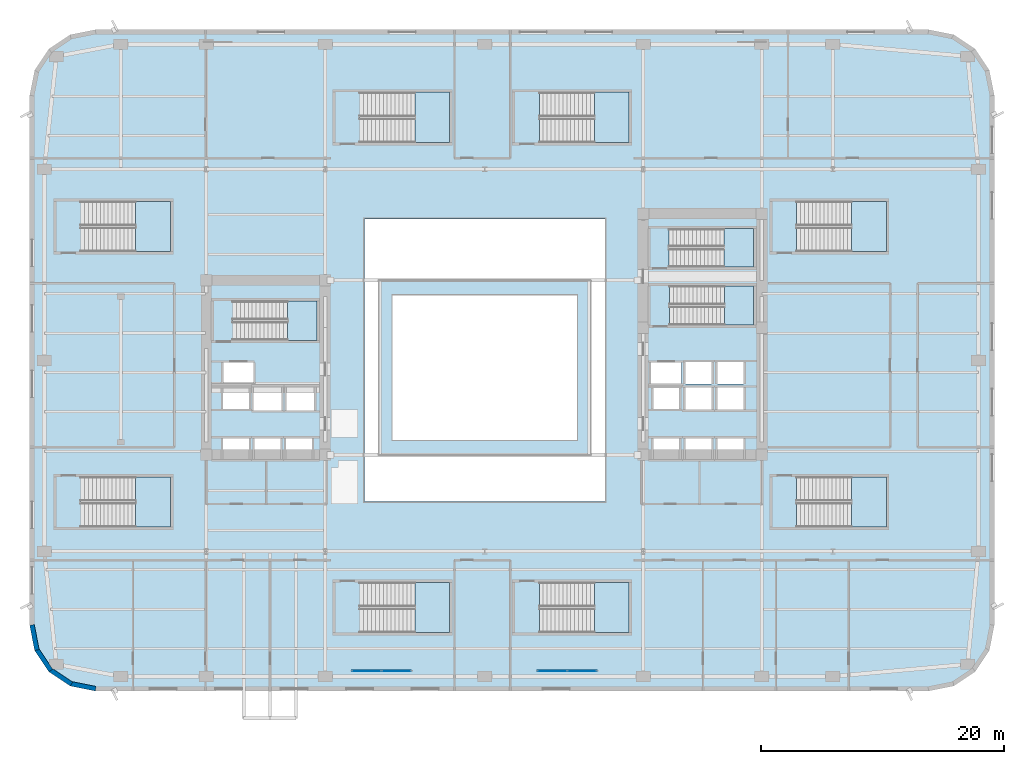
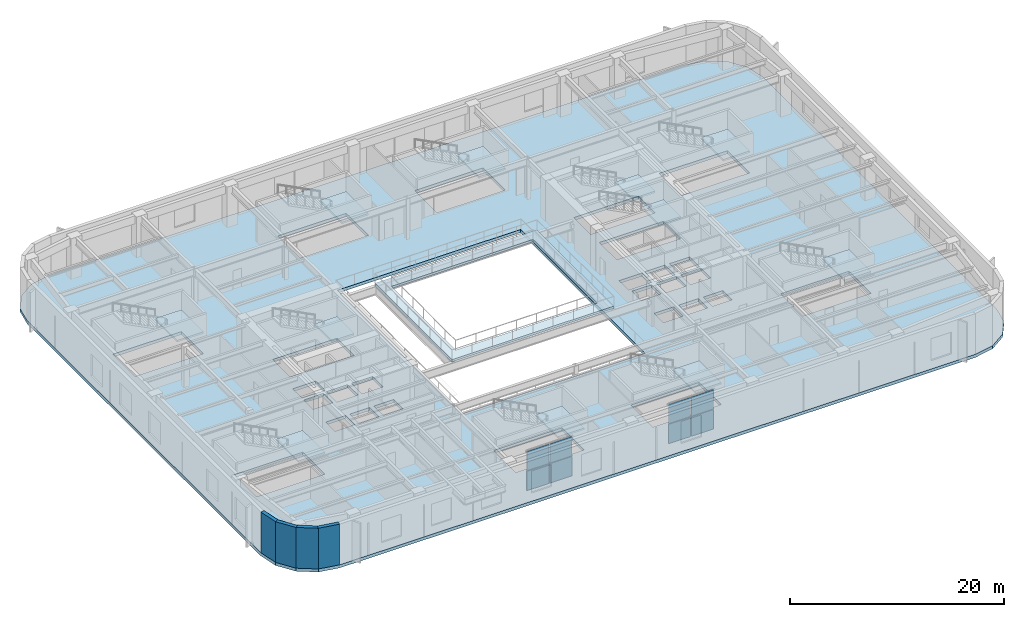
# One storey, part 6 of 24: 13 slabs, 8 plates, 4 walls, 13 elements without a shape of their own.
"""IFC4 building model written with IfcOpenShell, lengths in metres."""

from ifc_helpers import new_model, si_unit, direction, frame, frame_2d, origin, origin_2d, place, context, subcontext, project, spatial, polyline, rectangle, outline, extrude, material, layer, layer_set, type_object, element, aggregate, save


model = new_model("IFC4")

# Units and contexts
model_context = context("Model", 3, precision=1e-05, world=origin(), true_north=direction((0.0, 1.0)))
body_context = subcontext(model_context, "Body", "Model", "MODEL_VIEW")
ifc_project = project(units=[si_unit("LENGTHUNIT", "METRE"), si_unit("AREAUNIT", "SQUARE_METRE"), si_unit("VOLUMEUNIT", "CUBIC_METRE"), si_unit("PLANEANGLEUNIT", "RADIAN"), si_unit("MASSUNIT", "GRAM", prefix="KILO")], contexts=[model_context])

# Site, building, storey
site_placement = place(None, origin())
site = spatial("IfcSite", under=ifc_project, at=site_placement, CompositionType="ELEMENT")
building_placement = place(site_placement, origin())
building = spatial("IfcBuilding", under=site, at=building_placement, Name="Kolvaren Arena Tower", CompositionType="ELEMENT")
storey_placement = place(building_placement, frame((0.0, 0.0, 23.0)))
storey = spatial("IfcBuildingStorey", under=building, at=storey_placement, Name="L04", CompositionType="ELEMENT", Elevation=23.0)

# Curtain wall, plates
ifc_material_1 = material(Name="Anodised aluminium unitised curtain wall", Category="aluminium")
curtain_wall_type = type_object("IfcCurtainWallType", Name="CW-SYS-06", PredefinedType="USERDEFINED", material=ifc_material_1)
curtain_wall_1_placement = place(storey_placement, origin())
curtain_wall_1 = element("IfcCurtainWall", 1, at=curtain_wall_1_placement, inside=storey, type_object=curtain_wall_type, Name="Wintergarden Glazed Curtain Wall (L04)", ObjectType="UNITISED CURTAIN WALL", PredefinedType="USERDEFINED")
ifc_material_2 = material(Name="Insulated shadow-box aluminium spandrel panel", Category="aluminium")
ifc_layer_1 = layer(ifc_material_2, 0.06005859375)
ifc_layer_set_1 = layer_set([ifc_layer_1], Name="Insulated shadow-box aluminium spandrel panel")
plate_type = type_object("IfcPlateType", Name="CWP-SPD1", PredefinedType="CURTAIN_PANEL", material=ifc_layer_set_1)
plate_1_placement = place(storey_placement, frame((27.77001953125, 1.64990234375, 0.080078125), z_axis=(0.0, 0.0, 1.0), x_axis=(1.0, 0.0, 0.0)))
plate_1 = element("IfcPlate", 2, at=plate_1_placement, type_object=plate_type, Name="CW6 panel 1.1", PredefinedType="CURTAIN_PANEL", context=body_context, shape_type="SweptSolid", body=[
    extrude(rectangle(XDim=2.3798828125, YDim=0.06005859375, at=origin_2d()), origin(), (0.0, 0.0, 1.0), 2.205078125),
])
plate_2_placement = place(storey_placement, frame((27.77001953125, 1.64990234375, 2.364990234375), z_axis=(0.0, 0.0, 1.0), x_axis=(1.0, 0.0, 0.0)))
plate_2 = element("IfcPlate", 3, at=plate_2_placement, type_object=plate_type, Name="CW6 panel 1.2", PredefinedType="CURTAIN_PANEL", context=body_context, shape_type="SweptSolid", body=[
    extrude(rectangle(XDim=2.3798828125, YDim=0.06005859375, at=origin_2d()), origin(), (0.0, 0.0, 1.0), 2.205078125),
])
plate_3_placement = place(storey_placement, frame((30.22998046875, 1.64990234375, 0.080078125), z_axis=(0.0, 0.0, 1.0), x_axis=(1.0, 0.0, 0.0)))
plate_3 = element("IfcPlate", 4, at=plate_3_placement, type_object=plate_type, Name="CW6 panel 2.1", PredefinedType="CURTAIN_PANEL", context=body_context, shape_type="SweptSolid", body=[
    extrude(rectangle(XDim=2.3798828125, YDim=0.06005859375, at=origin_2d()), origin(), (0.0, 0.0, 1.0), 2.205078125),
])
plate_4_placement = place(storey_placement, frame((30.22998046875, 1.64990234375, 2.364990234375), z_axis=(0.0, 0.0, 1.0), x_axis=(1.0, 0.0, 0.0)))
plate_4 = element("IfcPlate", 5, at=plate_4_placement, type_object=plate_type, Name="CW6 panel 2.2", PredefinedType="CURTAIN_PANEL", context=body_context, shape_type="SweptSolid", body=[
    extrude(rectangle(XDim=2.3798828125, YDim=0.06005859375, at=origin_2d()), origin(), (0.0, 0.0, 1.0), 2.205078125),
])
aggregate(curtain_wall_1, [plate_1, plate_2, plate_3, plate_4])

curtain_wall_2_placement = place(storey_placement, origin())
curtain_wall_2 = element("IfcCurtainWall", 6, at=curtain_wall_2_placement, inside=storey, type_object=curtain_wall_type, Name="Wintergarden Glazed Curtain Wall (L04)", ObjectType="UNITISED CURTAIN WALL", PredefinedType="USERDEFINED")
plate_5_placement = place(storey_placement, frame((43.070068359375, 1.64990234375, 0.080078125), z_axis=(0.0, 0.0, 1.0), x_axis=(1.0, 0.0, 0.0)))
plate_5 = element("IfcPlate", 7, at=plate_5_placement, type_object=plate_type, Name="CW6 panel 1.1", PredefinedType="CURTAIN_PANEL", context=body_context, shape_type="SweptSolid", body=[
    extrude(rectangle(XDim=2.3798828125, YDim=0.06005859375, at=origin_2d()), origin(), (0.0, 0.0, 1.0), 2.205078125),
])
plate_6_placement = place(storey_placement, frame((43.070068359375, 1.64990234375, 2.364990234375), z_axis=(0.0, 0.0, 1.0), x_axis=(1.0, 0.0, 0.0)))
plate_6 = element("IfcPlate", 8, at=plate_6_placement, type_object=plate_type, Name="CW6 panel 1.2", PredefinedType="CURTAIN_PANEL", context=body_context, shape_type="SweptSolid", body=[
    extrude(rectangle(XDim=2.3798828125, YDim=0.06005859375, at=origin_2d()), origin(), (0.0, 0.0, 1.0), 2.205078125),
])
plate_7_placement = place(storey_placement, frame((45.530029296875, 1.64990234375, 0.080078125), z_axis=(0.0, 0.0, 1.0), x_axis=(1.0, 0.0, 0.0)))
plate_7 = element("IfcPlate", 9, at=plate_7_placement, type_object=plate_type, Name="CW6 panel 2.1", PredefinedType="CURTAIN_PANEL", context=body_context, shape_type="SweptSolid", body=[
    extrude(rectangle(XDim=2.3798828125, YDim=0.06005859375, at=origin_2d()), origin(), (0.0, 0.0, 1.0), 2.205078125),
])
plate_8_placement = place(storey_placement, frame((45.530029296875, 1.64990234375, 2.364990234375), z_axis=(0.0, 0.0, 1.0), x_axis=(1.0, 0.0, 0.0)))
plate_8 = element("IfcPlate", 10, at=plate_8_placement, type_object=plate_type, Name="CW6 panel 2.2", PredefinedType="CURTAIN_PANEL", context=body_context, shape_type="SweptSolid", body=[
    extrude(rectangle(XDim=2.3798828125, YDim=0.06005859375, at=origin_2d()), origin(), (0.0, 0.0, 1.0), 2.205078125),
])
aggregate(curtain_wall_2, [plate_5, plate_6, plate_7, plate_8])

# Slabs
ifc_material_3 = material(Name="Concrete 50 MPa", Category="concrete")
ifc_layer_2 = layer(ifc_material_3, 0.35009765625)
ifc_layer_set_2 = layer_set([ifc_layer_2], Name="Concrete 50 MPa")
slab_type_1 = type_object("IfcSlabType", Name="SLAB-ARENA", PredefinedType="FLOOR", material=ifc_layer_set_2)
slab_1_placement = place(storey_placement, frame((0.0, 0.0, -0.35009765625)))
element("IfcSlab", 11, at=slab_1_placement, inside=storey, type_object=slab_type_1, Name="L04 Primary Structural Slab", PredefinedType="FLOOR", context=body_context, shape_type="SweptSolid", body=[
    extrude(outline(polyline([(74.10009765625, 0.0), (76.16650390625, 0.4111328125), (77.91845703125, 1.58154296875), (79.0888671875, 3.33349609375), (79.5, 5.39990234375), (79.5, 49.10009765625), (79.0888671875, 51.16650390625), (77.91845703125, 52.91845703125), (76.16650390625, 54.0888671875), (74.10009765625, 54.5), (5.39990234375, 54.5), (3.33349609375, 54.0888671875), (1.58154296875, 52.91845703125), (0.4111328125, 51.16650390625), (0.0, 49.10009765625), (0.0, 5.39990234375), (0.4111328125, 3.33349609375), (1.58154296875, 1.58154296875), (3.33349609375, 0.4111328125), (5.39990234375, 0.0), (74.10009765625, 0.0)]), holes=[polyline([(27.215087890625, 4.800048828125), (27.215087890625, 8.949951171875), (34.60009765625, 8.949951171875), (34.60009765625, 4.800048828125), (27.215087890625, 4.800048828125)]), polyline([(42.014892578125, 4.800048828125), (42.014892578125, 8.949951171875), (49.39990234375, 8.949951171875), (49.39990234375, 4.800048828125), (42.014892578125, 4.800048828125)]), polyline([(4.215087890625, 17.64990234375), (11.60009765625, 17.64990234375), (11.60009765625, 13.5), (4.215087890625, 13.5), (4.215087890625, 17.64990234375)]), polyline([(63.215087890625, 17.64990234375), (70.60009765625, 17.64990234375), (70.60009765625, 13.5), (63.215087890625, 13.5), (63.215087890625, 17.64990234375)]), polyline([(27.60009765625, 38.89990234375), (47.39990234375, 38.89990234375), (47.39990234375, 15.60009765625), (27.60009765625, 15.60009765625), (27.60009765625, 38.89990234375)]), polyline([(15.93505859375, 20.81494140625), (18.06494140625, 20.81494140625), (18.06494140625, 19.0849609375), (15.93505859375, 19.0849609375), (15.93505859375, 20.81494140625)]), polyline([(18.534912109375, 20.81494140625), (20.6650390625, 20.81494140625), (20.6650390625, 19.0849609375), (18.534912109375, 19.0849609375), (18.534912109375, 20.81494140625)]), polyline([(21.135009765625, 20.81494140625), (23.264892578125, 20.81494140625), (23.264892578125, 19.0849609375), (21.135009765625, 19.0849609375), (21.135009765625, 20.81494140625)]), polyline([(51.39501953125, 20.81494140625), (53.52490234375, 20.81494140625), (53.52490234375, 19.0849609375), (51.39501953125, 19.0849609375), (51.39501953125, 20.81494140625)]), polyline([(54.054931640625, 20.81494140625), (56.18505859375, 20.81494140625), (56.18505859375, 19.0849609375), (54.054931640625, 19.0849609375), (54.054931640625, 20.81494140625)]), polyline([(56.695068359375, 20.81494140625), (58.824951171875, 20.81494140625), (58.824951171875, 19.0849609375), (56.695068359375, 19.0849609375), (56.695068359375, 20.81494140625)]), polyline([(18.4599609375, 25.06494140625), (20.739990234375, 25.06494140625), (20.739990234375, 23.135009765625), (18.4599609375, 23.135009765625), (18.4599609375, 25.06494140625)]), polyline([(21.159912109375, 23.135009765625), (21.159912109375, 25.06494140625), (23.43994140625, 25.06494140625), (23.43994140625, 23.135009765625), (21.159912109375, 23.135009765625)]), polyline([(54.030029296875, 25.014892578125), (56.2099609375, 25.014892578125), (56.2099609375, 23.18505859375), (54.030029296875, 23.18505859375), (54.030029296875, 25.014892578125)]), polyline([(56.669921875, 23.18505859375), (56.669921875, 25.014892578125), (58.85009765625, 25.014892578125), (58.85009765625, 23.18505859375), (56.669921875, 23.18505859375)]), polyline([(15.93505859375, 24.965087890625), (18.06494140625, 24.965087890625), (18.06494140625, 23.235107421875), (15.93505859375, 23.235107421875), (15.93505859375, 24.965087890625)]), polyline([(51.39501953125, 24.965087890625), (53.52490234375, 24.965087890625), (53.52490234375, 23.235107421875), (51.39501953125, 23.235107421875), (51.39501953125, 24.965087890625)]), polyline([(54.030029296875, 27.114990234375), (56.2099609375, 27.114990234375), (56.2099609375, 25.284912109375), (54.030029296875, 25.284912109375), (54.030029296875, 27.114990234375)]), polyline([(56.669921875, 27.114990234375), (58.85009765625, 27.114990234375), (58.85009765625, 25.284912109375), (56.669921875, 25.284912109375), (56.669921875, 27.114990234375)]), polyline([(15.9599609375, 27.06494140625), (18.43994140625, 27.06494140625), (18.43994140625, 25.3349609375), (15.9599609375, 25.3349609375), (15.9599609375, 27.06494140625)]), polyline([(51.219970703125, 27.06494140625), (53.699951171875, 27.06494140625), (53.699951171875, 25.3349609375), (51.219970703125, 25.3349609375), (51.219970703125, 27.06494140625)]), polyline([(16.735107421875, 32.1298828125), (23.659912109375, 32.1298828125), (23.659912109375, 28.89990234375), (16.735107421875, 28.89990234375), (16.735107421875, 32.1298828125)]), polyline([(52.735107421875, 33.3798828125), (59.659912109375, 33.3798828125), (59.659912109375, 30.14990234375), (52.735107421875, 30.14990234375), (52.735107421875, 33.3798828125)]), polyline([(52.695068359375, 38.10009765625), (59.659912109375, 38.10009765625), (59.659912109375, 34.949951171875), (52.695068359375, 34.949951171875), (52.695068359375, 38.10009765625)]), polyline([(4.215087890625, 40.35009765625), (11.60009765625, 40.35009765625), (11.60009765625, 36.199951171875), (4.215087890625, 36.199951171875), (4.215087890625, 40.35009765625)]), polyline([(63.215087890625, 40.35009765625), (70.60009765625, 40.35009765625), (70.60009765625, 36.199951171875), (63.215087890625, 36.199951171875), (63.215087890625, 40.35009765625)]), polyline([(27.215087890625, 49.35009765625), (34.60009765625, 49.35009765625), (34.60009765625, 45.199951171875), (27.215087890625, 45.199951171875), (27.215087890625, 49.35009765625)]), polyline([(42.014892578125, 49.35009765625), (49.39990234375, 49.35009765625), (49.39990234375, 45.199951171875), (42.014892578125, 45.199951171875), (42.014892578125, 49.35009765625)])]), origin(), (0.0, 0.0, 1.0), 0.35009765625),
])
ifc_material_4 = material(Name="Precast concrete C45/55", Category="concrete")
ifc_layer_3 = layer(ifc_material_4, 0.260009765625)
ifc_layer_set_3 = layer_set([ifc_layer_3], Name="Precast concrete C45/55")
slab_type_2 = type_object("IfcSlabType", Name="SLAB-BOWL", PredefinedType="LANDING", material=ifc_layer_set_3)
slab_2_placement = place(storey_placement, frame((0.0, 0.0, 3.18994140625)))
element("IfcSlab", 12, at=slab_2_placement, inside=storey, type_object=slab_type_2, Name="Arena Seating Bowl Tier 4 Precast Terrace", PredefinedType="LANDING", context=body_context, shape_type="SweptSolid", body=[
    extrude(outline(polyline([(28.75, 19.449951171875), (46.25, 19.449951171875), (46.25, 33.85009765625), (28.75, 33.85009765625), (28.75, 19.449951171875)]), holes=[polyline([(29.85009765625, 20.64990234375), (45.14990234375, 20.64990234375), (45.14990234375, 32.64990234375), (29.85009765625, 32.64990234375), (29.85009765625, 20.64990234375)])]), origin(), (0.0, 0.0, 1.0), 0.260009765625),
])

# Stair, slab
ifc_material_5 = material(Name="Concrete 45 MPa", Category="concrete")
stair_type_1 = type_object("IfcStairType", Name="STAIR-CORE-165", PredefinedType="HALF_TURN_STAIR", material=ifc_material_5)
stair_1_placement = place(storey_placement, origin())
stair_1 = element("IfcStair", 13, at=stair_1_placement, inside=storey, type_object=stair_type_1, Name="L04 ST-W1", PredefinedType="HALF_TURN_STAIR")
ifc_layer_4 = layer(ifc_material_5, 0.199951171875)
ifc_layer_set_4 = layer_set([ifc_layer_4], Name="Concrete 45 MPa")
slab_type_3 = type_object("IfcSlabType", Name="SLAB-LAND", PredefinedType="LANDING", material=ifc_layer_set_4)
slab_3_placement = place(storey_placement, frame((0.0, 0.0, 2.300048828125)))
slab_3 = element("IfcSlab", 14, at=slab_3_placement, type_object=slab_type_3, Name="ST-W1 landing 1", PredefinedType="LANDING", context=body_context, shape_type="SweptSolid", body=[
    extrude(outline(polyline([(21.256103515625, 28.89990234375), (23.659912109375, 28.89990234375), (23.659912109375, 32.1298828125), (21.256103515625, 32.1298828125), (21.256103515625, 28.89990234375)])), origin(), (0.0, 0.0, 1.0), 0.199951171875),
])
aggregate(stair_1, [slab_3])

stair_2_placement = place(storey_placement, origin())
stair_2 = element("IfcStair", 15, at=stair_2_placement, inside=storey, type_object=stair_type_1, Name="L04 ST-E1", PredefinedType="HALF_TURN_STAIR")
slab_4_placement = place(storey_placement, frame((0.0, 0.0, 2.300048828125)))
slab_4 = element("IfcSlab", 16, at=slab_4_placement, type_object=slab_type_3, Name="ST-E1 landing 1", PredefinedType="LANDING", context=body_context, shape_type="SweptSolid", body=[
    extrude(outline(polyline([(57.256103515625, 30.14990234375), (59.659912109375, 30.14990234375), (59.659912109375, 33.3798828125), (57.256103515625, 33.3798828125), (57.256103515625, 30.14990234375)])), origin(), (0.0, 0.0, 1.0), 0.199951171875),
])
aggregate(stair_2, [slab_4])

stair_type_2 = type_object("IfcStairType", Name="STAIR-CORE-150", PredefinedType="HALF_TURN_STAIR", material=ifc_material_5)
stair_3_placement = place(storey_placement, origin())
stair_3 = element("IfcStair", 17, at=stair_3_placement, inside=storey, type_object=stair_type_2, Name="L04 ST-E2", PredefinedType="HALF_TURN_STAIR")
slab_5_placement = place(storey_placement, frame((0.0, 0.0, 2.300048828125)))
slab_5 = element("IfcSlab", 18, at=slab_5_placement, type_object=slab_type_3, Name="ST-E2 landing 1", PredefinedType="LANDING", context=body_context, shape_type="SweptSolid", body=[
    extrude(outline(polyline([(57.216064453125, 34.949951171875), (59.659912109375, 34.949951171875), (59.659912109375, 38.10009765625), (57.216064453125, 38.10009765625), (57.216064453125, 34.949951171875)])), origin(), (0.0, 0.0, 1.0), 0.199951171875),
])
aggregate(stair_3, [slab_5])

stair_type_3 = type_object("IfcStairType", Name="STAIR-ARENA-220", PredefinedType="HALF_TURN_STAIR", material=ifc_material_5)
stair_4_placement = place(storey_placement, origin())
stair_4 = element("IfcStair", 19, at=stair_4_placement, inside=storey, type_object=stair_type_3, Name="L04 ST-A1", PredefinedType="HALF_TURN_STAIR")
slab_6_placement = place(storey_placement, frame((0.0, 0.0, 2.300048828125)))
slab_6 = element("IfcSlab", 20, at=slab_6_placement, type_object=slab_type_3, Name="ST-A1 landing 1", PredefinedType="LANDING", context=body_context, shape_type="SweptSolid", body=[
    extrude(outline(polyline([(8.736083984375, 13.5), (11.60009765625, 13.5), (11.60009765625, 17.64990234375), (8.736083984375, 17.64990234375), (8.736083984375, 13.5)])), origin(), (0.0, 0.0, 1.0), 0.199951171875),
])
aggregate(stair_4, [slab_6])

stair_5_placement = place(storey_placement, origin())
stair_5 = element("IfcStair", 21, at=stair_5_placement, inside=storey, type_object=stair_type_3, Name="L04 ST-A2", PredefinedType="HALF_TURN_STAIR")
slab_7_placement = place(storey_placement, frame((0.0, 0.0, 2.300048828125)))
slab_7 = element("IfcSlab", 22, at=slab_7_placement, type_object=slab_type_3, Name="ST-A2 landing 1", PredefinedType="LANDING", context=body_context, shape_type="SweptSolid", body=[
    extrude(outline(polyline([(31.736083984375, 4.800048828125), (34.60009765625, 4.800048828125), (34.60009765625, 8.949951171875), (31.736083984375, 8.949951171875), (31.736083984375, 4.800048828125)])), origin(), (0.0, 0.0, 1.0), 0.199951171875),
])
aggregate(stair_5, [slab_7])

stair_6_placement = place(storey_placement, origin())
stair_6 = element("IfcStair", 23, at=stair_6_placement, inside=storey, type_object=stair_type_3, Name="L04 ST-A3", PredefinedType="HALF_TURN_STAIR")
slab_8_placement = place(storey_placement, frame((0.0, 0.0, 2.300048828125)))
slab_8 = element("IfcSlab", 24, at=slab_8_placement, type_object=slab_type_3, Name="ST-A3 landing 1", PredefinedType="LANDING", context=body_context, shape_type="SweptSolid", body=[
    extrude(outline(polyline([(46.535888671875, 4.800048828125), (49.39990234375, 4.800048828125), (49.39990234375, 8.949951171875), (46.535888671875, 8.949951171875), (46.535888671875, 4.800048828125)])), origin(), (0.0, 0.0, 1.0), 0.199951171875),
])
aggregate(stair_6, [slab_8])

stair_7_placement = place(storey_placement, origin())
stair_7 = element("IfcStair", 25, at=stair_7_placement, inside=storey, type_object=stair_type_3, Name="L04 ST-A4", PredefinedType="HALF_TURN_STAIR")
slab_9_placement = place(storey_placement, frame((0.0, 0.0, 2.300048828125)))
slab_9 = element("IfcSlab", 26, at=slab_9_placement, type_object=slab_type_3, Name="ST-A4 landing 1", PredefinedType="LANDING", context=body_context, shape_type="SweptSolid", body=[
    extrude(outline(polyline([(67.736083984375, 13.5), (70.60009765625, 13.5), (70.60009765625, 17.64990234375), (67.736083984375, 17.64990234375), (67.736083984375, 13.5)])), origin(), (0.0, 0.0, 1.0), 0.199951171875),
])
aggregate(stair_7, [slab_9])

stair_8_placement = place(storey_placement, origin())
stair_8 = element("IfcStair", 27, at=stair_8_placement, inside=storey, type_object=stair_type_3, Name="L04 ST-A5", PredefinedType="HALF_TURN_STAIR")
slab_10_placement = place(storey_placement, frame((0.0, 0.0, 2.300048828125)))
slab_10 = element("IfcSlab", 28, at=slab_10_placement, type_object=slab_type_3, Name="ST-A5 landing 1", PredefinedType="LANDING", context=body_context, shape_type="SweptSolid", body=[
    extrude(outline(polyline([(8.736083984375, 36.199951171875), (11.60009765625, 36.199951171875), (11.60009765625, 40.35009765625), (8.736083984375, 40.35009765625), (8.736083984375, 36.199951171875)])), origin(), (0.0, 0.0, 1.0), 0.199951171875),
])
aggregate(stair_8, [slab_10])

stair_9_placement = place(storey_placement, origin())
stair_9 = element("IfcStair", 29, at=stair_9_placement, inside=storey, type_object=stair_type_3, Name="L04 ST-A6", PredefinedType="HALF_TURN_STAIR")
slab_11_placement = place(storey_placement, frame((0.0, 0.0, 2.300048828125)))
slab_11 = element("IfcSlab", 30, at=slab_11_placement, type_object=slab_type_3, Name="ST-A6 landing 1", PredefinedType="LANDING", context=body_context, shape_type="SweptSolid", body=[
    extrude(outline(polyline([(31.736083984375, 45.199951171875), (34.60009765625, 45.199951171875), (34.60009765625, 49.35009765625), (31.736083984375, 49.35009765625), (31.736083984375, 45.199951171875)])), origin(), (0.0, 0.0, 1.0), 0.199951171875),
])
aggregate(stair_9, [slab_11])

stair_10_placement = place(storey_placement, origin())
stair_10 = element("IfcStair", 31, at=stair_10_placement, inside=storey, type_object=stair_type_3, Name="L04 ST-A7", PredefinedType="HALF_TURN_STAIR")
slab_12_placement = place(storey_placement, frame((0.0, 0.0, 2.300048828125)))
slab_12 = element("IfcSlab", 32, at=slab_12_placement, type_object=slab_type_3, Name="ST-A7 landing 1", PredefinedType="LANDING", context=body_context, shape_type="SweptSolid", body=[
    extrude(outline(polyline([(46.535888671875, 45.199951171875), (49.39990234375, 45.199951171875), (49.39990234375, 49.35009765625), (46.535888671875, 49.35009765625), (46.535888671875, 45.199951171875)])), origin(), (0.0, 0.0, 1.0), 0.199951171875),
])
aggregate(stair_10, [slab_12])

stair_11_placement = place(storey_placement, origin())
stair_11 = element("IfcStair", 33, at=stair_11_placement, inside=storey, type_object=stair_type_3, Name="L04 ST-A8", PredefinedType="HALF_TURN_STAIR")
slab_13_placement = place(storey_placement, frame((0.0, 0.0, 2.300048828125)))
slab_13 = element("IfcSlab", 34, at=slab_13_placement, type_object=slab_type_3, Name="ST-A8 landing 1", PredefinedType="LANDING", context=body_context, shape_type="SweptSolid", body=[
    extrude(outline(polyline([(67.736083984375, 36.199951171875), (70.60009765625, 36.199951171875), (70.60009765625, 40.35009765625), (67.736083984375, 40.35009765625), (67.736083984375, 36.199951171875)])), origin(), (0.0, 0.0, 1.0), 0.199951171875),
])
aggregate(stair_11, [slab_13])

# Walls
ifc_material_6 = material(Name="Precast concrete C50/60", Category="concrete")
ifc_layer_5 = layer(ifc_material_6, 0.3798828125)
ifc_layer_set_5 = layer_set([ifc_layer_5], Name="Precast concrete C50/60")
wall_type = type_object("IfcWallType", Name="EXT-ARENA", PredefinedType="SOLIDWALL", material=ifc_layer_set_5)
for number, where, z_axis, x_axis, name in (
    (35, (0.597412109375, 3.37060546875, 0.0), (0.0, 0.0, 1.0), (-0.195135546048, 0.9807762837, 0.0), "Exterior Precast Masonry-Frame Wall (L04)"),
    (36, (1.739501953125, 1.687255859375, 0.0), (0.0, 0.0, 1.0), (-0.555502146192, 0.831515102434, 0.0), "Exterior Precast Masonry-Frame Wall (L04)"),
    (37, (3.439208984375, 0.569091796875, 0.0), (0.0, 0.0, 1.0), (-0.831515102434, 0.555502146192, 0.0), "Exterior Precast Masonry-Frame Wall (L04)"),
    (38, (5.43701171875, 0.186279296875, 0.0), (0.0, 0.0, 1.0), (-0.9807762837, 0.195135546048, 0.0), "Exterior Precast Masonry-Frame Wall (L04)"),
):
    element("IfcWall", number, at=place(storey_placement, frame(where, z_axis=z_axis, x_axis=x_axis)), inside=storey, type_object=wall_type, Name=name, PredefinedType="SOLIDWALL", context=body_context, shape_type="SweptSolid", body=[
        extrude(rectangle(XDim=2.10693359375, YDim=0.3798828125, at=frame_2d((1.053466796875, 0.0))), origin(), (0.0, 0.0, 1.0), 4.64990234375),
    ])

save(model, "model.ifc")
